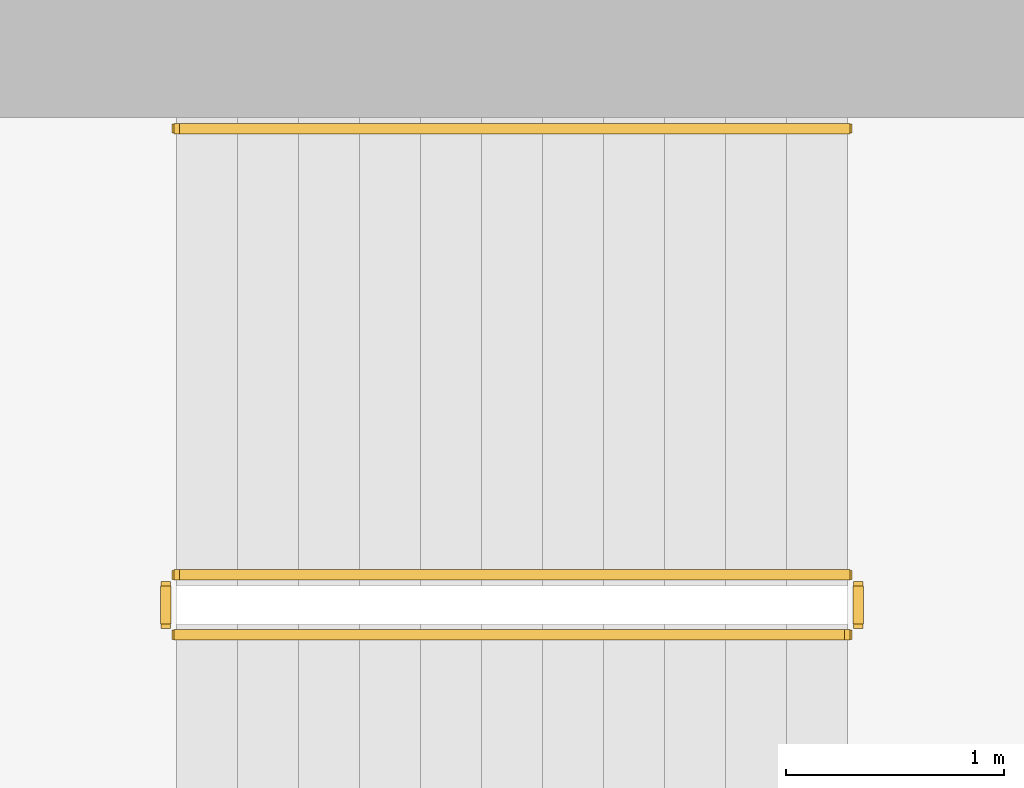
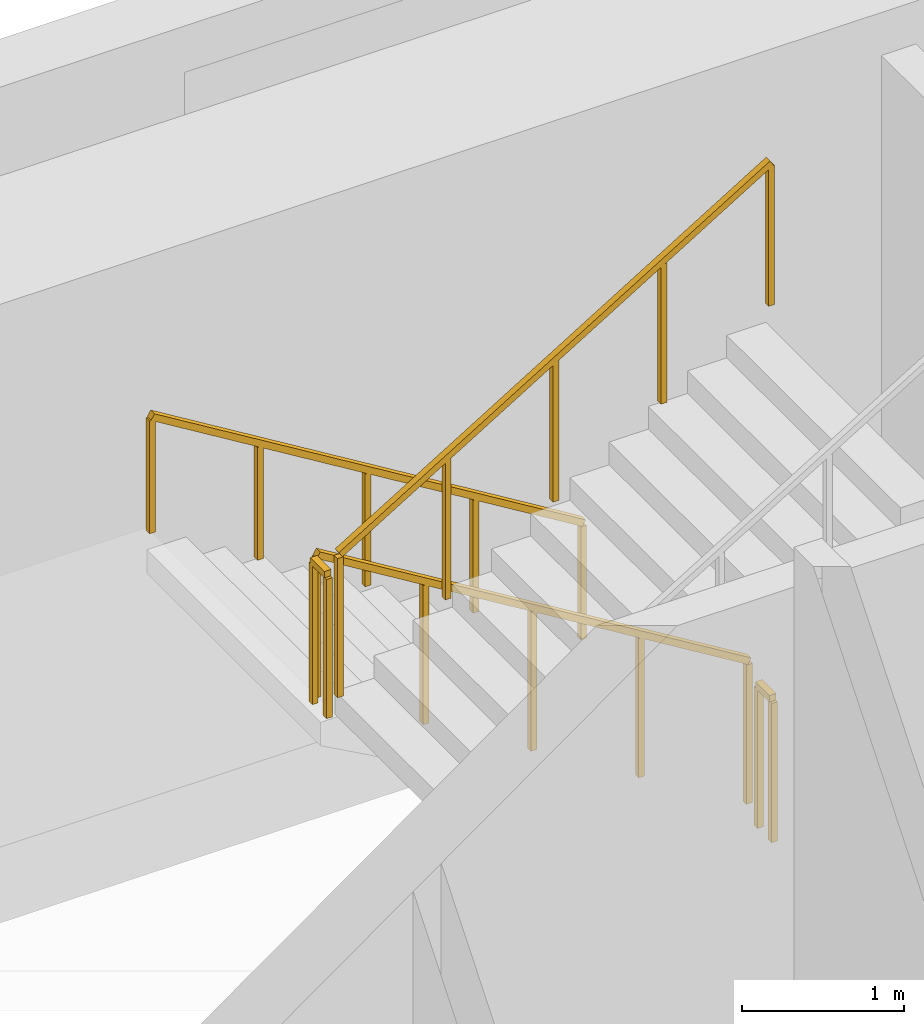
# One storey, part 14 of 15: 5 railings.
"""IFC4 building model written with IfcOpenShell, lengths in metres."""

from ifc_helpers import new_model, si_unit, direction, frame, origin, origin_2d, place, context, subcontext, project, spatial, rectangle, extrude, material, type_object, element, save


model = new_model("IFC4")

# Units and contexts
model_context = context("Model", 3, precision=1e-05, world=origin(), true_north=direction((0.0, 1.0)))
body_context = subcontext(model_context, "Body", "Model", "MODEL_VIEW")
ifc_project = project(units=[si_unit("LENGTHUNIT", "METRE"), si_unit("AREAUNIT", "SQUARE_METRE"), si_unit("VOLUMEUNIT", "CUBIC_METRE"), si_unit("PLANEANGLEUNIT", "RADIAN"), si_unit("MASSUNIT", "GRAM", prefix="KILO")], contexts=[model_context])

# Site, building, storey
site_placement = place(None, origin())
site = spatial("IfcSite", under=ifc_project, at=site_placement, CompositionType="ELEMENT")
building_placement = place(site_placement, origin())
building = spatial("IfcBuilding", under=site, at=building_placement, Name="Cypress Arch Tower", CompositionType="ELEMENT")
storey_placement = place(building_placement, frame((0.0, 0.0, 321.300048828125)))
storey = spatial("IfcBuildingStorey", under=building, at=storey_placement, Name="L73", CompositionType="ELEMENT", Elevation=321.300048828125)

# Railings
ifc_material_1 = material(Name="Black powder-coated steel square bar 48 mm", Category="steel")
railing_type_1 = type_object("IfcRailingType", Name="Stair handrail HR1", PredefinedType="HANDRAIL", material=ifc_material_1)
railing_1_placement = place(storey_placement, frame((-22.27490234375, 14.75, 0.1708984375)))
element("IfcRailing", 1, at=railing_1_placement, inside=storey, type_object=railing_type_1, Name="L73 B stair handrail 1", PredefinedType="HANDRAIL", context=body_context, shape_type="SweptSolid", body=[
    extrude(rectangle(XDim=0.048095703125, YDim=0.048095703125, at=origin_2d()), frame((0.0, 0.0, 0.8759765625), z_axis=(-0.853666305674, 0.0, 0.52082035152), x_axis=(0.0, -1.0, 0.0)), (0.0, 0.0, 1.0), 3.608154296875),
    extrude(rectangle(XDim=0.0419921875, YDim=0.0419921875, at=origin_2d()), origin(), (0.0, 0.0, 1.0), 0.851806640625),
    extrude(rectangle(XDim=0.0419921875, YDim=0.0419921875, at=origin_2d()), frame((-0.77001953125, 0.0, 0.4697265625)), (0.0, 0.0, 1.0), 0.851806640625),
    extrude(rectangle(XDim=0.0419921875, YDim=0.0419921875, at=origin_2d()), frame((-1.5400390625, 0.0, 0.939453125)), (0.0, 0.0, 1.0), 0.851806640625),
    extrude(rectangle(XDim=0.0419921875, YDim=0.0419921875, at=origin_2d()), frame((-2.31005859375, 0.0, 1.409423828125)), (0.0, 0.0, 1.0), 0.851806640625),
    extrude(rectangle(XDim=0.0419921875, YDim=0.0419921875, at=origin_2d()), frame((-3.080078125, 0.0, 1.879150390625)), (0.0, 0.0, 1.0), 0.851806640625),
])
ifc_material_2 = material(Name="Black powder-coated steel balusters", Category="steel")
railing_type_2 = type_object("IfcRailingType", Name="Stair well guard G1", PredefinedType="GUARDRAIL", material=ifc_material_2)
railing_2_placement = place(storey_placement, frame((-22.27490234375, 12.699951171875, 0.1708984375)))
element("IfcRailing", 2, at=railing_2_placement, inside=storey, type_object=railing_type_2, Name="L73 B stair guard 1", PredefinedType="GUARDRAIL", context=body_context, shape_type="SweptSolid", body=[
    extrude(rectangle(XDim=0.048095703125, YDim=0.048095703125, at=origin_2d()), frame((0.0, 0.0, 1.076171875), z_axis=(-0.853666305674, 0.0, 0.52082035152), x_axis=(0.0, -1.0, 0.0)), (0.0, 0.0, 1.0), 3.608154296875),
    extrude(rectangle(XDim=0.0419921875, YDim=0.0419921875, at=origin_2d()), origin(), (0.0, 0.0, 1.0), 1.052001953125),
    extrude(rectangle(XDim=0.0419921875, YDim=0.0419921875, at=origin_2d()), frame((-0.77001953125, 0.0, 0.4697265625)), (0.0, 0.0, 1.0), 1.052001953125),
    extrude(rectangle(XDim=0.0419921875, YDim=0.0419921875, at=origin_2d()), frame((-1.5400390625, 0.0, 0.939453125)), (0.0, 0.0, 1.0), 1.052001953125),
    extrude(rectangle(XDim=0.0419921875, YDim=0.0419921875, at=origin_2d()), frame((-2.31005859375, 0.0, 1.409423828125)), (0.0, 0.0, 1.0), 1.052001953125),
    extrude(rectangle(XDim=0.0419921875, YDim=0.0419921875, at=origin_2d()), frame((-3.080078125, 0.0, 1.879150390625)), (0.0, 0.0, 1.0), 1.052001953125),
])
railing_3_placement = place(storey_placement, frame((-25.405029296875, 12.64990234375, 2.050048828125)))
element("IfcRailing", 3, at=railing_3_placement, inside=storey, type_object=railing_type_2, Name="L73 B stair guard 2", PredefinedType="GUARDRAIL", context=body_context, shape_type="SweptSolid", body=[
    extrude(rectangle(XDim=0.048095703125, YDim=0.048095703125, at=origin_2d()), frame((0.0, 0.0, 1.076171875), z_axis=(0.0, -1.0, 0.0), x_axis=(1.0, 0.0, 0.0)), (0.0, 0.0, 1.0), 0.1748046875),
    extrude(rectangle(XDim=0.0419921875, YDim=0.0419921875, at=origin_2d()), origin(), (0.0, 0.0, 1.0), 1.052001953125),
    extrude(rectangle(XDim=0.0419921875, YDim=0.0419921875, at=origin_2d()), frame((0.0, -0.1748046875, 0.0)), (0.0, 0.0, 1.0), 1.052001953125),
])
railing_4_placement = place(storey_placement, frame((-25.35498046875, 12.425048828125, 2.220703125)))
element("IfcRailing", 4, at=railing_4_placement, inside=storey, type_object=railing_type_2, Name="L73 B stair guard 3", PredefinedType="GUARDRAIL", context=body_context, shape_type="SweptSolid", body=[
    extrude(rectangle(XDim=0.048095703125, YDim=0.048095703125, at=origin_2d()), frame((0.0, 0.0, 1.076171875), z_axis=(0.853666305674, 0.0, 0.52082035152), x_axis=(0.0, 1.0, 0.0)), (0.0, 0.0, 1.0), 3.608154296875),
    extrude(rectangle(XDim=0.0419921875, YDim=0.0419921875, at=origin_2d()), origin(), (0.0, 0.0, 1.0), 1.052001953125),
    extrude(rectangle(XDim=0.0419921875, YDim=0.0419921875, at=origin_2d()), frame((0.77001953125, 0.0, 0.4697265625)), (0.0, 0.0, 1.0), 1.052001953125),
    extrude(rectangle(XDim=0.0419921875, YDim=0.0419921875, at=origin_2d()), frame((1.5400390625, 0.0, 0.939453125)), (0.0, 0.0, 1.0), 1.052001953125),
    extrude(rectangle(XDim=0.0419921875, YDim=0.0419921875, at=origin_2d()), frame((2.31005859375, 0.0, 1.409423828125)), (0.0, 0.0, 1.0), 1.052001953125),
    extrude(rectangle(XDim=0.0419921875, YDim=0.0419921875, at=origin_2d()), frame((3.080078125, 0.0, 1.879150390625)), (0.0, 0.0, 1.0), 1.052001953125),
])
railing_5_placement = place(storey_placement, frame((-22.22509765625, 12.64990234375, 0.0)))
element("IfcRailing", 5, at=railing_5_placement, inside=storey, type_object=railing_type_2, Name="L73 B stair guard 4", PredefinedType="GUARDRAIL", context=body_context, shape_type="SweptSolid", body=[
    extrude(rectangle(XDim=0.048095703125, YDim=0.048095703125, at=origin_2d()), frame((0.0, 0.0, 1.076171875), z_axis=(0.0, -1.0, 0.0), x_axis=(1.0, 0.0, 0.0)), (0.0, 0.0, 1.0), 0.1748046875),
    extrude(rectangle(XDim=0.0419921875, YDim=0.0419921875, at=origin_2d()), origin(), (0.0, 0.0, 1.0), 1.052001953125),
    extrude(rectangle(XDim=0.0419921875, YDim=0.0419921875, at=origin_2d()), frame((0.0, -0.1748046875, 0.0)), (0.0, 0.0, 1.0), 1.052001953125),
])

save(model, "model.ifc")
